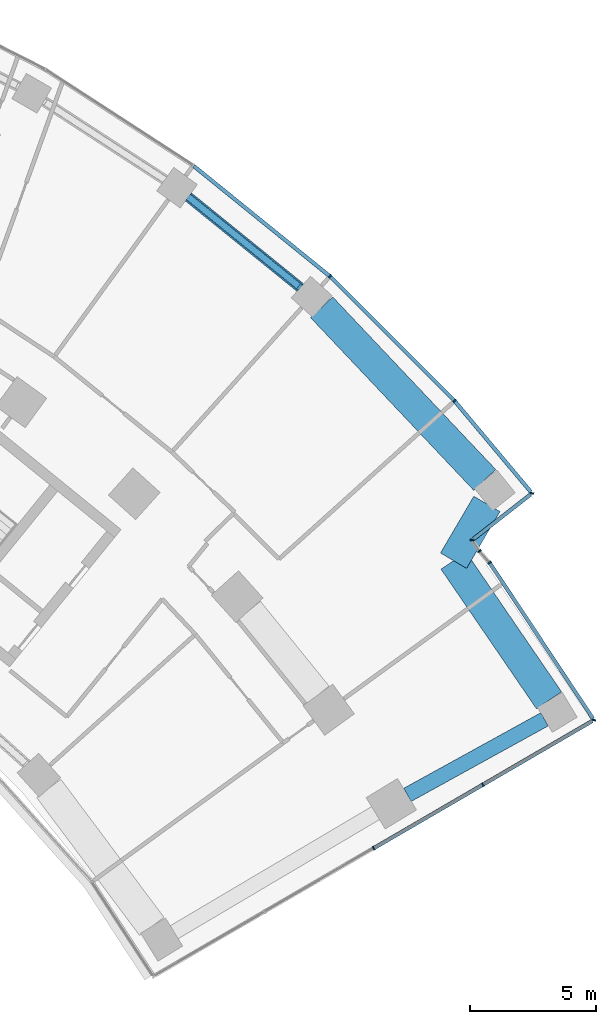
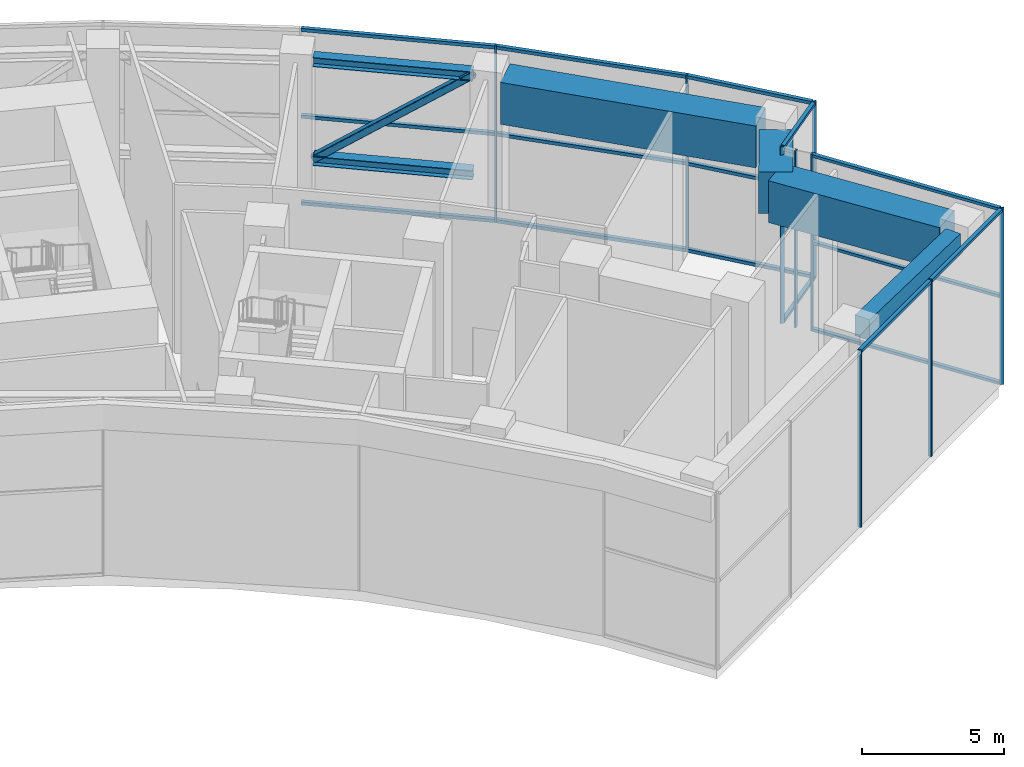
# One storey, part 11 of 30: 29 members, 4 beams, 6 elements without a shape of their own.
"""IFC4 building model written with IfcOpenShell, lengths in metres."""

from ifc_helpers import new_model, si_unit, direction, frame, origin, origin_2d, place, context, subcontext, project, spatial, rectangle, hollow_rectangle, i_section, extrude, material, layer, layer_set, material_profile, profile_set, type_object, element, aggregate, save


model = new_model("IFC4")

# Units and contexts
model_context = context("Model", 3, precision=1e-05, world=origin(), true_north=direction((0.0, 1.0)))
body_context = subcontext(model_context, "Body", "Model", "MODEL_VIEW")
ifc_project = project(units=[si_unit("LENGTHUNIT", "METRE"), si_unit("AREAUNIT", "SQUARE_METRE"), si_unit("VOLUMEUNIT", "CUBIC_METRE"), si_unit("PLANEANGLEUNIT", "RADIAN"), si_unit("MASSUNIT", "GRAM", prefix="KILO")], contexts=[model_context])

# Site, building, storey
site_placement = place(None, origin())
site = spatial("IfcSite", under=ifc_project, at=site_placement, CompositionType="ELEMENT")
building_placement = place(site_placement, origin())
building = spatial("IfcBuilding", under=site, at=building_placement, Name="Stone Belt Terrace Tower", CompositionType="ELEMENT")
storey_placement = place(building_placement, frame((0.0, 0.0, 136.39990234375)))
storey = spatial("IfcBuildingStorey", under=building, at=storey_placement, Name="L33", CompositionType="ELEMENT", Elevation=136.39990234375)

# Members
ifc_material_1 = material(Name="Structural steel C345", Category="steel")
ifc_material_profile_1 = material_profile(ifc_material_1, i_section(OverallWidth=0.39990234375, OverallDepth=0.39990234375, WebThickness=0.012939453125, FlangeThickness=0.02099609375, at=origin_2d()), Name="I 40K2")
ifc_profile_set_1 = profile_set([ifc_material_profile_1], Name="Structural steel C345")
member_type_1 = type_object("IfcMemberType", Name="Belt chord I 40K2", PredefinedType="CHORD", material=ifc_profile_set_1)
for number, where, z_axis, x_axis, name in (
    (1, (38.94091796875, 52.619140625, 7.050048828125), (0.777142179039, -0.629325061918, 0.0), (0.629325061918, 0.777142179039, 0.0), "Belt truss T2 ring R top chord 14"),
    (2, (38.94091796875, 52.619140625, 2.800048828125), (0.777142179039, -0.629325061918, 0.0), (0.629325061918, 0.777142179039, 0.0), "Belt truss T2 ring R bot chord 14"),
):
    element("IfcMember", number, at=place(storey_placement, frame(where, z_axis=z_axis, x_axis=x_axis)), inside=storey, type_object=member_type_1, Name=name, PredefinedType="CHORD", context=body_context, shape_type="SweptSolid", body=[
        extrude(i_section(OverallWidth=0.39990234375, OverallDepth=0.39990234375, WebThickness=0.012939453125, FlangeThickness=0.02099609375, at=origin_2d()), origin(), (0.0, 0.0, 1.0), 5.703125),
    ])
ifc_material_profile_2 = material_profile(ifc_material_1, hollow_rectangle(XDim=0.300048828125, YDim=0.300048828125, WallThickness=0.01611328125, InnerFilletRadius=0.031982421875, OuterFilletRadius=0.048095703125, at=origin_2d()), Name="SHS 300x300x16")
ifc_profile_set_2 = profile_set([ifc_material_profile_2], Name="Structural steel C345")
member_type_2 = type_object("IfcMemberType", Name="Belt diagonal SHS 300x300x16", PredefinedType="BRACE", material=ifc_profile_set_2)
member_1_placement = place(storey_placement, frame((38.94091796875, 52.619140625, 2.800048828125), z_axis=(0.623144383485, -0.504618573406, 0.597537591038), x_axis=(0.629325061918, 0.777142179039, 0.0)))
element("IfcMember", 3, at=member_1_placement, inside=storey, type_object=member_type_2, Name="Belt truss T2 ring R diagonal 14", PredefinedType="BRACE", context=body_context, shape_type="SweptSolid", body=[
    extrude(hollow_rectangle(XDim=0.300048828125, YDim=0.300048828125, WallThickness=0.01611328125, InnerFilletRadius=0.031982421875, OuterFilletRadius=0.048095703125, at=origin_2d()), origin(), (0.0, 0.0, 1.0), 7.112548828125),
])

# Curtain wall, members
ifc_material_2 = material(Name="Aluminium 6063-T6 anodised frame", Category="aluminium")
ifc_layer_1 = layer(ifc_material_2, 0.14990234375)
ifc_layer_set_1 = layer_set([ifc_layer_1], Name="CW-A unitised convex-face curtain wall")
curtain_wall_type_1 = type_object("IfcCurtainWallType", Name="CW-A unitised convex-face curtain wall", PredefinedType="NOTDEFINED", material=ifc_layer_set_1)
curtain_wall_1_placement = place(storey_placement, origin())
curtain_wall_1 = element("IfcCurtainWall", 4, at=curtain_wall_1_placement, inside=storey, type_object=curtain_wall_type_1, Name="CW-A convex face L33", PredefinedType="NOTDEFINED")
ifc_material_profile_3 = material_profile(ifc_material_2, rectangle(XDim=0.14990234375, YDim=0.06005859375, at=origin_2d()), Name="Aluminium 6063-T6 60x150")
ifc_profile_set_3 = profile_set([ifc_material_profile_3], Name="Aluminium 6063-T6 anodised frame")
member_type_3 = type_object("IfcMemberType", Name="CW-A mullion 60 x 150", PredefinedType="MULLION", material=ifc_profile_set_3)
member_2_placement = place(storey_placement, frame((52.539794921875, 40.89208984375, 0.0), z_axis=(0.0, 0.0, 1.0), x_axis=(-0.994464768622, 0.105070566623, 0.0)))
member_2 = element("IfcMember", 5, at=member_2_placement, type_object=member_type_3, Name="CW-A mullion 1", PredefinedType="MULLION", context=body_context, shape_type="SweptSolid", body=[
    extrude(rectangle(XDim=0.14990234375, YDim=0.06005859375, at=origin_2d()), origin(), (0.0, 0.0, 1.0), 7.60009765625),
])
member_3_placement = place(storey_placement, frame((49.474609375, 44.5478515625, 0.0), z_axis=(0.0, 0.0, 1.0), x_axis=(-0.737400080522, -0.675456231925, 0.0)))
member_3 = element("IfcMember", 6, at=member_3_placement, type_object=member_type_3, Name="CW-A mullion 2", PredefinedType="MULLION", context=body_context, shape_type="SweptSolid", body=[
    extrude(rectangle(XDim=0.14990234375, YDim=0.06005859375, at=origin_2d()), origin(), (0.0, 0.0, 1.0), 7.60009765625),
])
member_4_placement = place(storey_placement, frame((44.54736328125, 49.474853515625, 0.0), z_axis=(0.0, 0.0, 1.0), x_axis=(-0.669130606359, -0.743144825477, 0.0)))
member_4 = element("IfcMember", 7, at=member_4_placement, type_object=member_type_3, Name="CW-A mullion 3", PredefinedType="MULLION", context=body_context, shape_type="SweptSolid", body=[
    extrude(rectangle(XDim=0.14990234375, YDim=0.06005859375, at=origin_2d()), origin(), (0.0, 0.0, 1.0), 7.60009765625),
])
ifc_material_profile_4 = material_profile(ifc_material_2, rectangle(XDim=0.14990234375, YDim=0.139892578125, at=origin_2d()), Name="Aluminium 6063-T6 150x140")
ifc_profile_set_4 = profile_set([ifc_material_profile_4], Name="Aluminium 6063-T6 anodised frame")
member_type_4 = type_object("IfcMemberType", Name="CW-A transom 140 x 150", PredefinedType="USERDEFINED", material=ifc_profile_set_4)
member_5_placement = place(storey_placement, frame((52.49169921875, 40.949462890625, 0.070068359375), z_axis=(-0.642504178028, 0.766282181195, 0.0), x_axis=(-0.766282181195, -0.642504178028, 0.0)))
member_5 = element("IfcMember", 8, at=member_5_placement, type_object=member_type_4, Name="CW-A transom 1.1", ObjectType="TRANSOM", PredefinedType="USERDEFINED", context=body_context, shape_type="SweptSolid", body=[
    extrude(rectangle(XDim=0.14990234375, YDim=0.139892578125, at=origin_2d()), origin(), (0.0, 0.0, 1.0), 4.662841796875),
])
member_6_placement = place(storey_placement, frame((52.49169921875, 40.949462890625, 3.800048828125), z_axis=(-0.642504178028, 0.766282181195, 0.0), x_axis=(-0.766282181195, -0.642504178028, 0.0)))
member_6 = element("IfcMember", 9, at=member_6_placement, type_object=member_type_4, Name="CW-A transom 1.2", ObjectType="TRANSOM", PredefinedType="USERDEFINED", context=body_context, shape_type="SweptSolid", body=[
    extrude(rectangle(XDim=0.14990234375, YDim=0.139892578125, at=origin_2d()), origin(), (0.0, 0.0, 1.0), 4.662841796875),
])
member_7_placement = place(storey_placement, frame((52.49169921875, 40.949462890625, 7.530029296875), z_axis=(-0.642504178028, 0.766282181195, 0.0), x_axis=(-0.766282181195, -0.642504178028, 0.0)))
member_7 = element("IfcMember", 10, at=member_7_placement, type_object=member_type_4, Name="CW-A transom 1.3", ObjectType="TRANSOM", PredefinedType="USERDEFINED", context=body_context, shape_type="SweptSolid", body=[
    extrude(rectangle(XDim=0.14990234375, YDim=0.139892578125, at=origin_2d()), origin(), (0.0, 0.0, 1.0), 4.662841796875),
])
member_8_placement = place(storey_placement, frame((49.450927734375, 44.5712890625, 0.070068359375), z_axis=(-0.707106781187, 0.707106781187, 0.0), x_axis=(-0.707106781187, -0.707106781187, 0.0)))
member_8 = element("IfcMember", 11, at=member_8_placement, type_object=member_type_4, Name="CW-A transom 2.1", ObjectType="TRANSOM", PredefinedType="USERDEFINED", context=body_context, shape_type="SweptSolid", body=[
    extrude(rectangle(XDim=0.14990234375, YDim=0.139892578125, at=origin_2d()), origin(), (0.0, 0.0, 1.0), 6.90087890625),
])
member_9_placement = place(storey_placement, frame((49.450927734375, 44.5712890625, 3.800048828125), z_axis=(-0.707106781187, 0.707106781187, 0.0), x_axis=(-0.707106781187, -0.707106781187, 0.0)))
member_9 = element("IfcMember", 12, at=member_9_placement, type_object=member_type_4, Name="CW-A transom 2.2", ObjectType="TRANSOM", PredefinedType="USERDEFINED", context=body_context, shape_type="SweptSolid", body=[
    extrude(rectangle(XDim=0.14990234375, YDim=0.139892578125, at=origin_2d()), origin(), (0.0, 0.0, 1.0), 6.90087890625),
])
member_10_placement = place(storey_placement, frame((49.450927734375, 44.5712890625, 7.530029296875), z_axis=(-0.707106781187, 0.707106781187, 0.0), x_axis=(-0.707106781187, -0.707106781187, 0.0)))
member_10 = element("IfcMember", 13, at=member_10_placement, type_object=member_type_4, Name="CW-A transom 2.3", ObjectType="TRANSOM", PredefinedType="USERDEFINED", context=body_context, shape_type="SweptSolid", body=[
    extrude(rectangle(XDim=0.14990234375, YDim=0.139892578125, at=origin_2d()), origin(), (0.0, 0.0, 1.0), 6.90087890625),
])
member_11_placement = place(storey_placement, frame((44.52099609375, 49.496337890625, 0.070068359375), z_axis=(-0.777141048626, 0.629326457842, 0.0), x_axis=(-0.629326457842, -0.777141048626, 0.0)))
member_11 = element("IfcMember", 14, at=member_11_placement, type_object=member_type_4, Name="CW-A transom 3.1", ObjectType="TRANSOM", PredefinedType="USERDEFINED", context=body_context, shape_type="SweptSolid", body=[
    extrude(rectangle(XDim=0.14990234375, YDim=0.139892578125, at=origin_2d()), origin(), (0.0, 0.0, 1.0), 6.900634765625),
])
member_12_placement = place(storey_placement, frame((44.52099609375, 49.496337890625, 3.800048828125), z_axis=(-0.777141048626, 0.629326457842, 0.0), x_axis=(-0.629326457842, -0.777141048626, 0.0)))
member_12 = element("IfcMember", 15, at=member_12_placement, type_object=member_type_4, Name="CW-A transom 3.2", ObjectType="TRANSOM", PredefinedType="USERDEFINED", context=body_context, shape_type="SweptSolid", body=[
    extrude(rectangle(XDim=0.14990234375, YDim=0.139892578125, at=origin_2d()), origin(), (0.0, 0.0, 1.0), 6.900634765625),
])
member_13_placement = place(storey_placement, frame((44.52099609375, 49.496337890625, 7.530029296875), z_axis=(-0.777141048626, 0.629326457842, 0.0), x_axis=(-0.629326457842, -0.777141048626, 0.0)))
member_13 = element("IfcMember", 16, at=member_13_placement, type_object=member_type_4, Name="CW-A transom 3.3", ObjectType="TRANSOM", PredefinedType="USERDEFINED", context=body_context, shape_type="SweptSolid", body=[
    extrude(rectangle(XDim=0.14990234375, YDim=0.139892578125, at=origin_2d()), origin(), (0.0, 0.0, 1.0), 6.900634765625),
])
aggregate(curtain_wall_1, [member_2, member_3, member_4, member_5, member_6, member_7, member_8, member_9, member_10, member_11, member_12, member_13])

ifc_layer_2 = layer(ifc_material_2, 0.14990234375)
ifc_layer_set_2 = layer_set([ifc_layer_2], Name="CW-C stick curtain wall, horn ends and notches")
curtain_wall_type_2 = type_object("IfcCurtainWallType", Name="CW-C stick curtain wall, horn ends and notches", PredefinedType="NOTDEFINED", material=ifc_layer_set_2)
curtain_wall_2_placement = place(storey_placement, origin())
curtain_wall_2 = element("IfcCurtainWall", 17, at=curtain_wall_2_placement, inside=storey, type_object=curtain_wall_type_2, Name="CW-C end face L33", PredefinedType="NOTDEFINED")
ifc_material_profile_5 = material_profile(ifc_material_2, rectangle(XDim=0.14990234375, YDim=0.06005859375, at=origin_2d()), Name="Aluminium 6063-T6 60x150")
ifc_profile_set_5 = profile_set([ifc_material_profile_5], Name="Aluminium 6063-T6 anodised frame")
member_type_5 = type_object("IfcMemberType", Name="CW-C mullion 60 x 150", PredefinedType="MULLION", material=ifc_profile_set_5)
member_14_placement = place(storey_placement, frame((46.2744140625, 26.85009765625, 0.0), z_axis=(0.0, 0.0, 1.0), x_axis=(-0.503080901861, 0.864239322284, 0.0)))
member_14 = element("IfcMember", 18, at=member_14_placement, type_object=member_type_5, Name="CW-C mullion 3", PredefinedType="MULLION", context=body_context, shape_type="SweptSolid", body=[
    extrude(rectangle(XDim=0.14990234375, YDim=0.06005859375, at=origin_2d()), origin(), (0.0, 0.0, 1.0), 7.60009765625),
])
member_15_placement = place(storey_placement, frame((50.595703125, 29.365478515625, 0.0), z_axis=(0.0, 0.0, 1.0), x_axis=(-0.503080901861, 0.864239322284, 0.0)))
member_15 = element("IfcMember", 19, at=member_15_placement, type_object=member_type_5, Name="CW-C mullion 4", PredefinedType="MULLION", context=body_context, shape_type="SweptSolid", body=[
    extrude(rectangle(XDim=0.14990234375, YDim=0.06005859375, at=origin_2d()), origin(), (0.0, 0.0, 1.0), 7.60009765625),
])

# Curtain wall, member
curtain_wall_3_placement = place(storey_placement, origin())
curtain_wall_3 = element("IfcCurtainWall", 20, at=curtain_wall_3_placement, inside=storey, type_object=curtain_wall_type_2, Name="CW-C notch face L33", PredefinedType="NOTDEFINED")
member_16_placement = place(storey_placement, frame((54.985595703125, 31.9208984375, 0.0), z_axis=(0.0, 0.0, 1.0), x_axis=(-0.97386043945, 0.227147186805, 0.0)))
member_16 = element("IfcMember", 21, at=member_16_placement, type_object=member_type_5, Name="CW-C mullion 1", PredefinedType="MULLION", context=body_context, shape_type="SweptSolid", body=[
    extrude(rectangle(XDim=0.14990234375, YDim=0.06005859375, at=origin_2d()), origin(), (0.0, 0.0, 1.0), 7.60009765625),
])

curtain_wall_4_placement = place(storey_placement, origin())
curtain_wall_4 = element("IfcCurtainWall", 22, at=curtain_wall_4_placement, inside=storey, type_object=curtain_wall_type_2, Name="CW-C end face L33", PredefinedType="NOTDEFINED")
member_17_placement = place(storey_placement, frame((50.859130859375, 38.146484375, 0.0), z_axis=(0.0, 0.0, 1.0), x_axis=(-0.797131223435, -0.603806105157, 0.0)))
member_17 = element("IfcMember", 23, at=member_17_placement, type_object=member_type_5, Name="CW-C mullion 1", PredefinedType="MULLION", context=body_context, shape_type="SweptSolid", body=[
    extrude(rectangle(XDim=0.14990234375, YDim=0.06005859375, at=origin_2d()), origin(), (0.0, 0.0, 1.0), 7.60009765625),
])
aggregate(curtain_wall_4, [member_17])

curtain_wall_5_placement = place(storey_placement, origin())
curtain_wall_5 = element("IfcCurtainWall", 24, at=curtain_wall_5_placement, inside=storey, type_object=curtain_wall_type_2, Name="CW-C end face L33", PredefinedType="NOTDEFINED")
member_18_placement = place(storey_placement, frame((50.46484375, 38.60400390625, 0.0), z_axis=(0.0, 0.0, 1.0), x_axis=(-0.794258004121, -0.607580630773, 0.0)))
member_18 = element("IfcMember", 25, at=member_18_placement, type_object=member_type_5, Name="CW-C mullion 1", PredefinedType="MULLION", context=body_context, shape_type="SweptSolid", body=[
    extrude(rectangle(XDim=0.14990234375, YDim=0.06005859375, at=origin_2d()), origin(), (0.0, 0.0, 1.0), 7.60009765625),
])
aggregate(curtain_wall_5, [member_18])

curtain_wall_6_placement = place(storey_placement, origin())
curtain_wall_6 = element("IfcCurtainWall", 26, at=curtain_wall_6_placement, inside=storey, type_object=curtain_wall_type_2, Name="CW-C notch face L33", PredefinedType="NOTDEFINED")
member_19_placement = place(storey_placement, frame((50.16845703125, 39.0419921875, 0.0), z_axis=(0.0, 0.0, 1.0), x_axis=(-0.987742281651, 0.156093513764, 0.0)))
member_19 = element("IfcMember", 27, at=member_19_placement, type_object=member_type_5, Name="CW-C mullion 1", PredefinedType="MULLION", context=body_context, shape_type="SweptSolid", body=[
    extrude(rectangle(XDim=0.14990234375, YDim=0.06005859375, at=origin_2d()), origin(), (0.0, 0.0, 1.0), 7.60009765625),
])

# Member
ifc_material_profile_6 = material_profile(ifc_material_2, rectangle(XDim=0.14990234375, YDim=0.1201171875, at=origin_2d()), Name="Aluminium 6063-T6 150x120")
ifc_profile_set_6 = profile_set([ifc_material_profile_6], Name="Aluminium 6063-T6 anodised frame")
member_type_6 = type_object("IfcMemberType", Name="CW-C transom 120 x 150", PredefinedType="USERDEFINED", material=ifc_profile_set_6)
member_20_placement = place(storey_placement, frame((46.300537109375, 26.864990234375, 7.5400390625), z_axis=(0.864224887357, 0.503105698708, 0.0), x_axis=(-0.503105698708, 0.864224887357, 0.0)))
member_20 = element("IfcMember", 28, at=member_20_placement, type_object=member_type_6, Name="CW-C transom 3.1", ObjectType="TRANSOM", PredefinedType="USERDEFINED", context=body_context, shape_type="SweptSolid", body=[
    extrude(rectangle(XDim=0.14990234375, YDim=0.1201171875, at=origin_2d()), origin(), (0.0, 0.0, 1.0), 4.93994140625),
])

member_21_placement = place(storey_placement, frame((50.62158203125, 29.380615234375, 7.5400390625), z_axis=(0.864246693664, 0.503068238404, 0.0), x_axis=(-0.503068238404, 0.864246693664, 0.0)))
member_21 = element("IfcMember", 29, at=member_21_placement, type_object=member_type_6, Name="CW-C transom 4.1", ObjectType="TRANSOM", PredefinedType="USERDEFINED", context=body_context, shape_type="SweptSolid", body=[
    extrude(rectangle(XDim=0.14990234375, YDim=0.1201171875, at=origin_2d()), origin(), (0.0, 0.0, 1.0), 4.974365234375),
])

aggregate(curtain_wall_2, [member_14, member_15, member_20, member_21])

member_22_placement = place(storey_placement, frame((54.944091796875, 31.9833984375, 0.06005859375), z_axis=(-0.552478122217, 0.833527398753, 0.0), x_axis=(-0.833527398753, -0.552478122217, 0.0)))
member_22 = element("IfcMember", 30, at=member_22_placement, type_object=member_type_6, Name="CW-C transom 1.1", ObjectType="TRANSOM", PredefinedType="USERDEFINED", context=body_context, shape_type="SweptSolid", body=[
    extrude(rectangle(XDim=0.14990234375, YDim=0.1201171875, at=origin_2d()), origin(), (0.0, 0.0, 1.0), 7.359375),
])

member_23_placement = place(storey_placement, frame((54.944091796875, 31.9833984375, 3.800048828125), z_axis=(-0.552478122217, 0.833527398753, 0.0), x_axis=(-0.833527398753, -0.552478122217, 0.0)))
member_23 = element("IfcMember", 31, at=member_23_placement, type_object=member_type_6, Name="CW-C transom 1.2", ObjectType="TRANSOM", PredefinedType="USERDEFINED", context=body_context, shape_type="SweptSolid", body=[
    extrude(rectangle(XDim=0.14990234375, YDim=0.1201171875, at=origin_2d()), origin(), (0.0, 0.0, 1.0), 7.359375),
])

member_24_placement = place(storey_placement, frame((54.944091796875, 31.9833984375, 7.5400390625), z_axis=(-0.552478122217, 0.833527398753, 0.0), x_axis=(-0.833527398753, -0.552478122217, 0.0)))
member_24 = element("IfcMember", 32, at=member_24_placement, type_object=member_type_6, Name="CW-C transom 1.3", ObjectType="TRANSOM", PredefinedType="USERDEFINED", context=body_context, shape_type="SweptSolid", body=[
    extrude(rectangle(XDim=0.14990234375, YDim=0.1201171875, at=origin_2d()), origin(), (0.0, 0.0, 1.0), 7.359375),
])

aggregate(curtain_wall_3, [member_16, member_22, member_23, member_24])

member_25_placement = place(storey_placement, frame((50.22607421875, 39.087158203125, 0.06005859375), z_axis=(0.788505618167, 0.615027552325, 0.0), x_axis=(-0.615027552325, 0.788505618167, 0.0)))
member_25 = element("IfcMember", 33, at=member_25_placement, type_object=member_type_6, Name="CW-C transom 1.1", ObjectType="TRANSOM", PredefinedType="USERDEFINED", context=body_context, shape_type="SweptSolid", body=[
    extrude(rectangle(XDim=0.14990234375, YDim=0.1201171875, at=origin_2d()), origin(), (0.0, 0.0, 1.0), 2.859619140625),
])

member_26_placement = place(storey_placement, frame((50.22607421875, 39.087158203125, 3.800048828125), z_axis=(0.788505618167, 0.615027552325, 0.0), x_axis=(-0.615027552325, 0.788505618167, 0.0)))
member_26 = element("IfcMember", 34, at=member_26_placement, type_object=member_type_6, Name="CW-C transom 1.2", ObjectType="TRANSOM", PredefinedType="USERDEFINED", context=body_context, shape_type="SweptSolid", body=[
    extrude(rectangle(XDim=0.14990234375, YDim=0.1201171875, at=origin_2d()), origin(), (0.0, 0.0, 1.0), 2.859619140625),
])

member_27_placement = place(storey_placement, frame((50.22607421875, 39.087158203125, 7.5400390625), z_axis=(0.788505618167, 0.615027552325, 0.0), x_axis=(-0.615027552325, 0.788505618167, 0.0)))
member_27 = element("IfcMember", 35, at=member_27_placement, type_object=member_type_6, Name="CW-C transom 1.3", ObjectType="TRANSOM", PredefinedType="USERDEFINED", context=body_context, shape_type="SweptSolid", body=[
    extrude(rectangle(XDim=0.14990234375, YDim=0.1201171875, at=origin_2d()), origin(), (0.0, 0.0, 1.0), 2.859619140625),
])

aggregate(curtain_wall_6, [member_19, member_25, member_26, member_27])

# Beams
ifc_material_3 = material(Name="Concrete B60", Category="concrete")
ifc_material_profile_7 = material_profile(ifc_material_3, rectangle(XDim=0.60009765625, YDim=0.89990234375, at=origin_2d()), Name="RC 600x900")
ifc_profile_set_7 = profile_set([ifc_material_profile_7], Name="Concrete B60")
beam_type_1 = type_object("IfcBeamType", Name="Edge beam RC 600x900 B60", PredefinedType="SPANDREL", material=ifc_profile_set_7)
beam_1_placement = place(storey_placement, frame((47.6083984375, 28.960693359375, 6.800048828125), z_axis=(0.875764462498, 0.482738652094, 0.0), x_axis=(-0.482738652094, 0.875764462498, 0.0)))
element("IfcBeam", 36, at=beam_1_placement, inside=storey, type_object=beam_type_1, Name="Edge beam L33 B Q to R", PredefinedType="SPANDREL", context=body_context, shape_type="SweptSolid", body=[
    extrude(rectangle(XDim=0.60009765625, YDim=0.89990234375, at=origin_2d()), origin(), (0.0, 0.0, 1.0), 6.19384765625),
])
ifc_material_4 = material(Name="Concrete B80", Category="concrete")
ifc_material_profile_8 = material_profile(ifc_material_4, rectangle(XDim=1.199951171875, YDim=1.800048828125, at=origin_2d()), Name="RC 1200x1800")
ifc_profile_set_8 = profile_set([ifc_material_profile_8], Name="Concrete B80")
beam_type_2 = type_object("IfcBeamType", Name="Transfer girder RC 1200x1800 B80", PredefinedType="BEAM", material=ifc_profile_set_8)
beam_2_placement = place(storey_placement, frame((50.752685546875, 40.472412109375, 6.35009765625), z_axis=(-0.506618714835, -0.862170213925, 0.0), x_axis=(0.862170213925, -0.506618714835, 0.0)))
element("IfcBeam", 37, at=beam_2_placement, inside=storey, type_object=beam_type_2, Name="Transfer beam L33 RRNB-RB", PredefinedType="BEAM", context=body_context, shape_type="SweptSolid", body=[
    extrude(rectangle(XDim=1.199951171875, YDim=1.800048828125, at=origin_2d()), origin(), (0.0, 0.0, 1.0), 2.605224609375),
])
beam_3_placement = place(storey_placement, frame((49.432861328125, 38.226318359375, 6.35009765625), z_axis=(0.564704843638, -0.825292941671, 0.0), x_axis=(0.825292941671, 0.564704843638, 0.0)))
element("IfcBeam", 38, at=beam_3_placement, inside=storey, type_object=beam_type_2, Name="Transfer beam L33 RRB-RB", PredefinedType="BEAM", context=body_context, shape_type="SweptSolid", body=[
    extrude(rectangle(XDim=1.199951171875, YDim=1.800048828125, at=origin_2d()), origin(), (0.0, 0.0, 1.0), 6.691162109375),
])
beam_4_placement = place(storey_placement, frame((44.216796875, 48.248291015625, 6.35009765625), z_axis=(0.686861638856, -0.726788200969, 0.0), x_axis=(0.726788200969, 0.686861638856, 0.0)))
element("IfcBeam", 39, at=beam_4_placement, inside=storey, type_object=beam_type_2, Name="Transfer beam L33 RR29-RNB", PredefinedType="BEAM", context=body_context, shape_type="SweptSolid", body=[
    extrude(rectangle(XDim=1.199951171875, YDim=1.800048828125, at=origin_2d()), origin(), (0.0, 0.0, 1.0), 9.392333984375),
])

save(model, "model.ifc")
